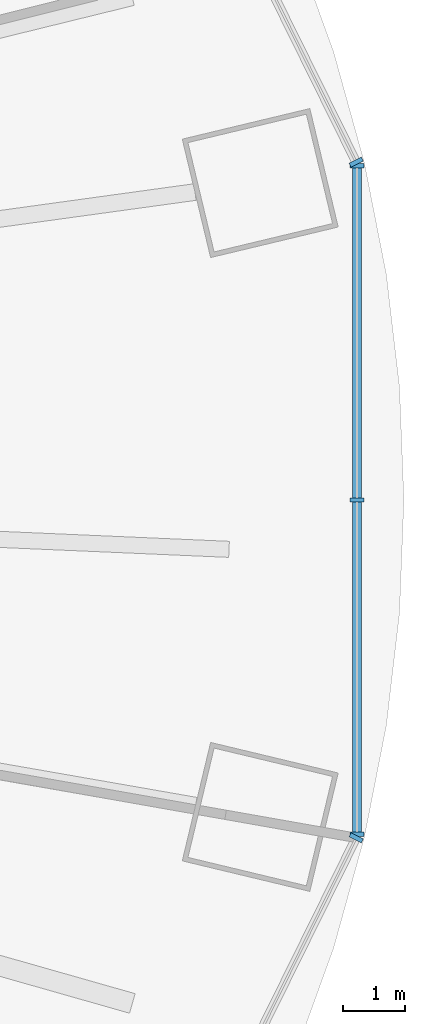
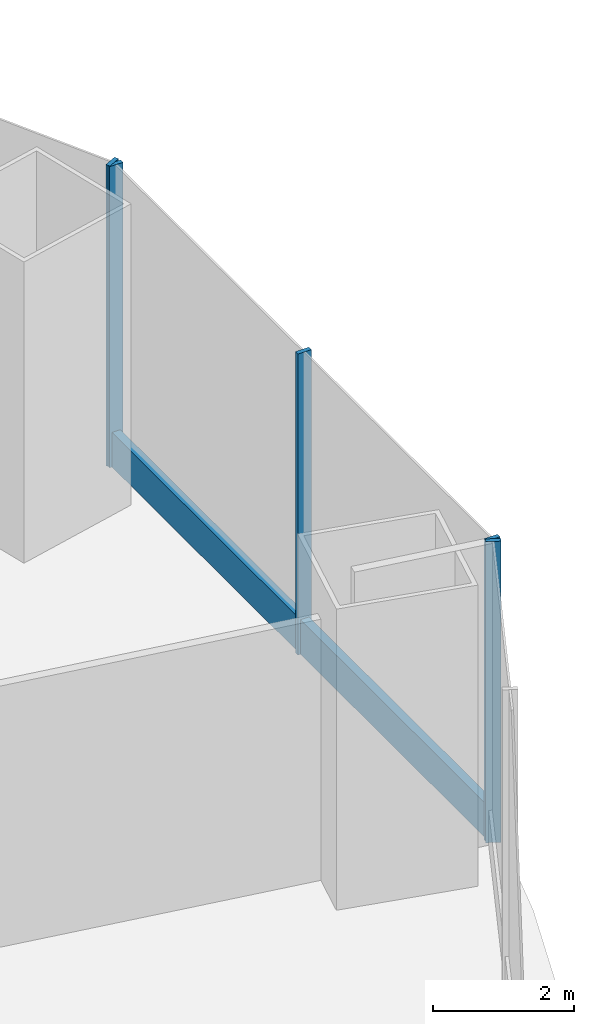
# One storey, part 8 of 15: 6 members, 3 elements without a shape of their own.
"""IFC4 building model written with IfcOpenShell, lengths in metres."""

from ifc_helpers import new_model, si_unit, direction, frame, origin, origin_2d, place, context, subcontext, project, spatial, rectangle, extrude, material, material_profile, profile_set, type_object, element, aggregate, save


model = new_model("IFC4")

# Units and contexts
model_context = context("Model", 3, precision=1e-05, world=origin(), true_north=direction((0.0, 1.0)))
body_context = subcontext(model_context, "Body", "Model", "MODEL_VIEW")
ifc_project = project(units=[si_unit("LENGTHUNIT", "METRE"), si_unit("AREAUNIT", "SQUARE_METRE"), si_unit("VOLUMEUNIT", "CUBIC_METRE"), si_unit("PLANEANGLEUNIT", "RADIAN"), si_unit("MASSUNIT", "GRAM", prefix="KILO")], contexts=[model_context])

# Site, building, storey
site_placement = place(None, origin())
site = spatial("IfcSite", under=ifc_project, at=site_placement, CompositionType="ELEMENT")
building_placement = place(site_placement, origin())
building = spatial("IfcBuilding", under=site, at=building_placement, Name="Marenthal Gate Tower", CompositionType="ELEMENT")
storey_placement = place(building_placement, frame((0.0, 0.0, 155.64990234375)))
storey = spatial("IfcBuildingStorey", under=building, at=storey_placement, Name="L33", CompositionType="ELEMENT", Elevation=155.64990234375)

# Curtain wall, member
ifc_material_1 = material(Name="Aluminium and glass", Category="aluminium")
curtain_wall_type = type_object("IfcCurtainWallType", Name="Curtain wall sky lobby", PredefinedType="NOTDEFINED", material=ifc_material_1)
curtain_wall_1_placement = place(storey_placement, origin())
curtain_wall_1 = element("IfcCurtainWall", 1, at=curtain_wall_1_placement, inside=storey, type_object=curtain_wall_type, Name="Curtain wall L33 bay 1", PredefinedType="NOTDEFINED")
ifc_material_2 = material(Name="Aluminium", Category="aluminium")
ifc_material_profile_1 = material_profile(ifc_material_2, rectangle(XDim=0.219970703125, YDim=0.070068359375, at=origin_2d()), Name="70x220 aluminium mullion")
ifc_profile_set_1 = profile_set([ifc_material_profile_1], Name="Aluminium")
member_type_1 = type_object("IfcMemberType", Name="Mullion 70x220 sky lobby", PredefinedType="MULLION", material=ifc_profile_set_1)
member_1_placement = place(storey_placement, frame((34.0537109375, 4.809814453125, 0.0), z_axis=(0.0, 0.0, 1.0), x_axis=(-0.896608747182, -0.442823615536, 0.0)))
member_1 = element("IfcMember", 2, at=member_1_placement, type_object=member_type_1, Name="Mullion L33 bay 1.1", PredefinedType="MULLION", context=body_context, shape_type="SweptSolid", body=[
    extrude(rectangle(XDim=0.219970703125, YDim=0.070068359375, at=origin_2d()), origin(), (0.0, 0.0, 1.0), 5.22021484375),
])
aggregate(curtain_wall_1, [member_1])

curtain_wall_2_placement = place(storey_placement, origin())
curtain_wall_2 = element("IfcCurtainWall", 3, at=curtain_wall_2_placement, inside=storey, type_object=curtain_wall_type, Name="Curtain wall L33 bay 15", PredefinedType="NOTDEFINED")
member_2_placement = place(storey_placement, frame((34.0537109375, -6.009765625, 0.0), z_axis=(0.0, 0.0, 1.0), x_axis=(-0.896608747182, 0.442823615536, 0.0)))
member_2 = element("IfcMember", 4, at=member_2_placement, type_object=member_type_1, Name="Mullion L33 bay 15.4", PredefinedType="MULLION", context=body_context, shape_type="SweptSolid", body=[
    extrude(rectangle(XDim=0.219970703125, YDim=0.070068359375, at=origin_2d()), origin(), (0.0, 0.0, 1.0), 5.22021484375),
])
aggregate(curtain_wall_2, [member_2])

# Curtain wall, members
curtain_wall_3_placement = place(storey_placement, origin())
curtain_wall_3 = element("IfcCurtainWall", 5, at=curtain_wall_3_placement, inside=storey, type_object=curtain_wall_type, Name="Curtain wall L33 bay 16", PredefinedType="NOTDEFINED")
member_3_placement = place(storey_placement, frame((34.06689453125, -5.952880859375, 0.0), z_axis=(0.0, 0.0, 1.0), x_axis=(-1.0, 0.0, 0.0)))
member_3 = element("IfcMember", 6, at=member_3_placement, type_object=member_type_1, Name="Mullion L33 bay 16.1", PredefinedType="MULLION", context=body_context, shape_type="SweptSolid", body=[
    extrude(rectangle(XDim=0.219970703125, YDim=0.070068359375, at=origin_2d()), origin(), (0.0, 0.0, 1.0), 5.22021484375),
])
member_4_placement = place(storey_placement, frame((34.06689453125, -0.60009765625, 0.0), z_axis=(0.0, 0.0, 1.0), x_axis=(-1.0, 0.0, 0.0)))
member_4 = element("IfcMember", 7, at=member_4_placement, type_object=member_type_1, Name="Mullion L33 bay 16.2", PredefinedType="MULLION", context=body_context, shape_type="SweptSolid", body=[
    extrude(rectangle(XDim=0.219970703125, YDim=0.070068359375, at=origin_2d()), origin(), (0.0, 0.0, 1.0), 5.22021484375),
])
member_5_placement = place(storey_placement, frame((34.06689453125, 4.7529296875, 0.0), z_axis=(0.0, 0.0, 1.0), x_axis=(-1.0, 0.0, 0.0)))
member_5 = element("IfcMember", 8, at=member_5_placement, type_object=member_type_1, Name="Mullion L33 bay 16.3", PredefinedType="MULLION", context=body_context, shape_type="SweptSolid", body=[
    extrude(rectangle(XDim=0.219970703125, YDim=0.070068359375, at=origin_2d()), origin(), (0.0, 0.0, 1.0), 5.22021484375),
])
ifc_material_3 = material(Name="Aluminium", Category="aluminium")
ifc_material_profile_2 = material_profile(ifc_material_3, rectangle(XDim=0.139892578125, YDim=0.60009765625, at=origin_2d()), Name="140x600 aluminium transom")
ifc_profile_set_2 = profile_set([ifc_material_profile_2], Name="Aluminium")
member_type_2 = type_object("IfcMemberType", Name="Transom 140x600 sky lobby", PredefinedType="USERDEFINED", material=ifc_profile_set_2)
member_6_placement = place(storey_placement, frame((34.06689453125, -5.91796875, 0.300048828125), z_axis=(0.0, 1.0, 0.0), x_axis=(-1.0, 0.0, 0.0)))
member_6 = element("IfcMember", 9, at=member_6_placement, type_object=member_type_2, Name="Transom L33 bay 16", ObjectType="TRANSOM", PredefinedType="USERDEFINED", context=body_context, shape_type="SweptSolid", body=[
    extrude(rectangle(XDim=0.139892578125, YDim=0.60009765625, at=origin_2d()), origin(), (0.0, 0.0, 1.0), 10.635986328125),
])
aggregate(curtain_wall_3, [member_3, member_4, member_5, member_6])

save(model, "model.ifc")
